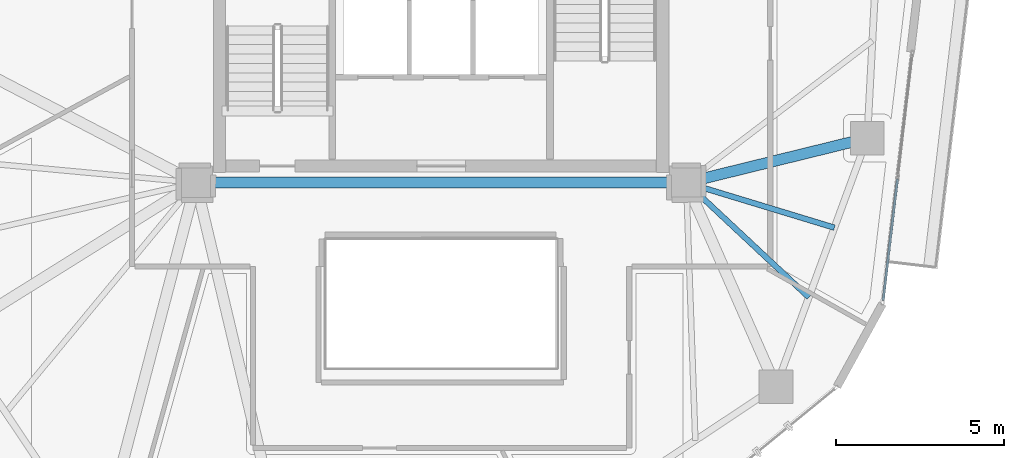
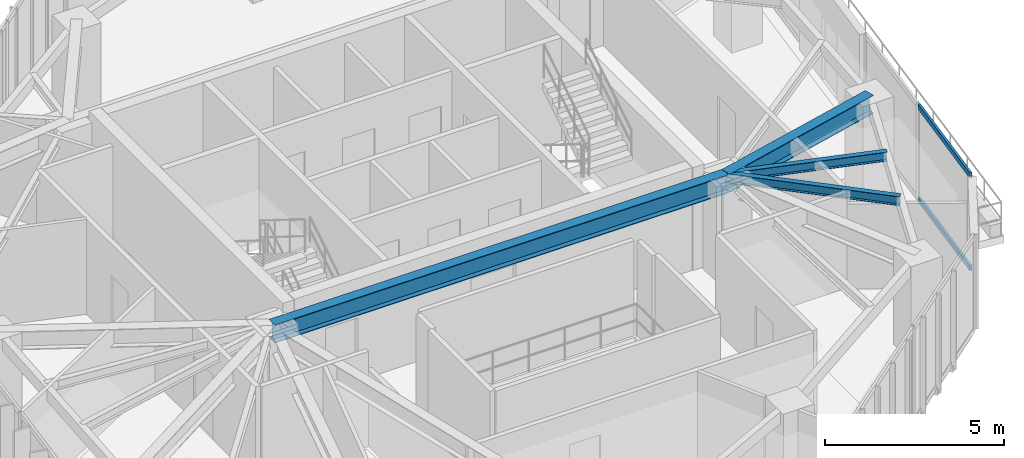
# One storey, part 10 of 22: 4 beams, 2 members, 1 element without a shape of its own.
"""IFC4 building model written with IfcOpenShell, lengths in metres."""

from ifc_helpers import new_model, si_unit, direction, frame, origin, origin_2d, place, context, subcontext, project, spatial, hollow_rectangle, i_section, extrude, source, transform, mapped, material, layer, layer_set, material_profile, profile_set, type_object, type_shapes, element, aggregate, save


model = new_model("IFC4")

# Units and contexts
model_context = context("Model", 3, precision=1e-05, world=origin(), true_north=direction((0.0, 1.0)))
body_context = subcontext(model_context, "Body", "Model", "MODEL_VIEW")
ifc_project = project(units=[si_unit("LENGTHUNIT", "METRE"), si_unit("AREAUNIT", "SQUARE_METRE"), si_unit("VOLUMEUNIT", "CUBIC_METRE"), si_unit("PLANEANGLEUNIT", "RADIAN"), si_unit("MASSUNIT", "GRAM", prefix="KILO")], contexts=[model_context])

# Site, building, storey
site_placement = place(None, origin())
site = spatial("IfcSite", under=ifc_project, at=site_placement, CompositionType="ELEMENT")
building_placement = place(site_placement, origin())
building = spatial("IfcBuilding", under=site, at=building_placement, Name="Talar Marvaseh", CompositionType="ELEMENT")
storey_placement = place(building_placement, frame((0.0, 0.0, 229.199951171875)))
storey = spatial("IfcBuildingStorey", under=building, at=storey_placement, Name="L60", CompositionType="ELEMENT", Elevation=229.199951171875)

# Beams
ifc_material_1 = material(Name="Steel S355", Category="steel")
ifc_material_profile_1 = material_profile(ifc_material_1, i_section(OverallWidth=0.324951171875, OverallDepth=0.615966796875, WebThickness=0.013916015625, FlangeThickness=0.021484375, at=origin_2d()), Name="W610x174")
ifc_profile_set_1 = profile_set([ifc_material_profile_1], Name="Steel S355")
beam_type_1 = type_object("IfcBeamType", Name="Zone 3 Radial Floor Girder W610x174", PredefinedType="BEAM", material=ifc_profile_set_1)
beam_1_placement = place(storey_placement, frame((18.699951171875, 25.5, 2.922119140625), z_axis=(1.0, 0.0, 0.0), x_axis=(0.0, 1.0, 0.0)))
element("IfcBeam", 1, at=beam_1_placement, inside=storey, type_object=beam_type_1, Name="L60 Zone 3 Radial Floor Girder W610x174", PredefinedType="BEAM", context=body_context, shape_type="SweptSolid", body=[
    extrude(i_section(OverallWidth=0.324951171875, OverallDepth=0.615966796875, WebThickness=0.013916015625, FlangeThickness=0.021484375, at=origin_2d()), origin(), (0.0, 0.0, 1.0), 14.60009765625),
])
beam_2_placement = place(storey_placement, frame((38.68896484375, 26.823974609375, 2.922119140625), z_axis=(-0.971120507527, -0.238589521692, 0.0), x_axis=(0.238589521692, -0.971120507527, 0.0)))
element("IfcBeam", 2, at=beam_2_placement, inside=storey, type_object=beam_type_1, Name="L60 Zone 3 Radial Floor Girder W610x174", PredefinedType="BEAM", context=body_context, shape_type="SweptSolid", body=[
    extrude(i_section(OverallWidth=0.324951171875, OverallDepth=0.615966796875, WebThickness=0.013916015625, FlangeThickness=0.021484375, at=origin_2d()), origin(), (0.0, 0.0, 1.0), 5.549072265625),
])
ifc_material_profile_2 = material_profile(ifc_material_1, i_section(OverallWidth=0.166015625, OverallDepth=0.31298828125, WebThickness=0.006591796875, FlangeThickness=0.01123046875, at=origin_2d()), Name="W310x45")
ifc_profile_set_2 = profile_set([ifc_material_profile_2], Name="Steel S355")
beam_type_2 = type_object("IfcBeamType", Name="Zone 3 Secondary Floor Joist W310x45", PredefinedType="JOIST", material=ifc_profile_set_2)
beam_3_placement = place(storey_placement, frame((37.71044921875, 24.15966796875, 3.073486328125), z_axis=(-0.956792465721, 0.290771693153, 0.0), x_axis=(-0.290771693153, -0.956792465721, 0.0)))
element("IfcBeam", 3, at=beam_3_placement, inside=storey, type_object=beam_type_2, Name="L60 Zone 3 Secondary Floor Joist W310x45", PredefinedType="JOIST", context=body_context, shape_type="SweptSolid", body=[
    extrude(i_section(OverallWidth=0.166015625, OverallDepth=0.31298828125, WebThickness=0.006591796875, FlangeThickness=0.01123046875, at=origin_2d()), origin(), (0.0, 0.0, 1.0), 4.609619140625),
])
beam_4_placement = place(storey_placement, frame((36.949462890625, 22.08740234375, 3.073486328125), z_axis=(-0.730408226886, 0.683010850643, 0.0), x_axis=(-0.683010850643, -0.730408226886, 0.0)))
element("IfcBeam", 4, at=beam_4_placement, inside=storey, type_object=beam_type_2, Name="L60 Zone 3 Secondary Floor Joist W310x45", PredefinedType="JOIST", context=body_context, shape_type="SweptSolid", body=[
    extrude(i_section(OverallWidth=0.166015625, OverallDepth=0.31298828125, WebThickness=0.006591796875, FlangeThickness=0.01123046875, at=origin_2d()), origin(), (0.0, 0.0, 1.0), 4.996337890625),
])

# Curtain wall, members
ifc_material_2 = material(Name="Architectural Aluminium", Category="aluminium")
ifc_layer = layer(ifc_material_2, 0.18994140625)
ifc_layer_set = layer_set([ifc_layer], Name="Architectural Aluminium")
curtain_wall_type = type_object("IfcCurtainWallType", Name="Unitised Solar Atelier Curtain Wall Z3", PredefinedType="NOTDEFINED", material=ifc_layer_set)
curtain_wall_placement = place(storey_placement, origin())
curtain_wall = element("IfcCurtainWall", 5, at=curtain_wall_placement, inside=storey, type_object=curtain_wall_type, Name="L60 Unitised Solar Atelier Curtain Wall Z3", PredefinedType="NOTDEFINED")
ifc_material_profile_3 = material_profile(ifc_material_2, hollow_rectangle(XDim=0.074951171875, YDim=0.179931640625, WallThickness=0.0048828125, at=origin_2d()), Name="RHS180x75x5")
ifc_profile_set_3 = profile_set([ifc_material_profile_3], Name="Architectural Aluminium")
member_type = type_object("IfcMemberType", Name="Unitised Curtain Wall Transom RHS180x75x5", PredefinedType="USERDEFINED", material=ifc_profile_set_3)
shared_shape = source(origin(), body_context, "Body", "SweptSolid", [
    extrude(hollow_rectangle(XDim=0.074951171875, YDim=0.179931640625, WallThickness=0.0048828125, at=origin_2d()), origin(), (0.0, 0.0, 1.0), 3.648681640625),
])
type_shapes(member_type, [shared_shape])
member_1_placement = place(storey_placement, frame((39.589599609375, 25.61376953125, 0.03759765625), z_axis=(-0.117699191972, -0.993049293947, 0.0), x_axis=(0.993049293947, -0.117699191972, 0.0)))
member_1 = element("IfcMember", 6, at=member_1_placement, type_object=member_type, Name="CW-Z3 transom 2.1", ObjectType="TRANSOM", PredefinedType="USERDEFINED", context=body_context, shape_type="MappedRepresentation", body=[
    mapped(shared_shape, transform((0.0, 0.0, 0.0), x_axis=(1.0, 0.0, 0.0), y_axis=(0.0, 1.0, 0.0), z_axis=(0.0, 0.0, 1.0), scale=1.0)),
])
member_2_placement = place(storey_placement, frame((39.589599609375, 25.61376953125, 3.192626953125), z_axis=(-0.117699191972, -0.993049293947, 0.0), x_axis=(0.993049293947, -0.117699191972, 0.0)))
member_2 = element("IfcMember", 7, at=member_2_placement, type_object=member_type, Name="CW-Z3 transom 2.2", ObjectType="TRANSOM", PredefinedType="USERDEFINED", context=body_context, shape_type="MappedRepresentation", body=[
    mapped(shared_shape, transform((0.0, 0.0, 0.0), x_axis=(1.0, 0.0, 0.0), y_axis=(0.0, 1.0, 0.0), z_axis=(0.0, 0.0, 1.0), scale=1.0)),
])
aggregate(curtain_wall, [member_1, member_2])

save(model, "model.ifc")
